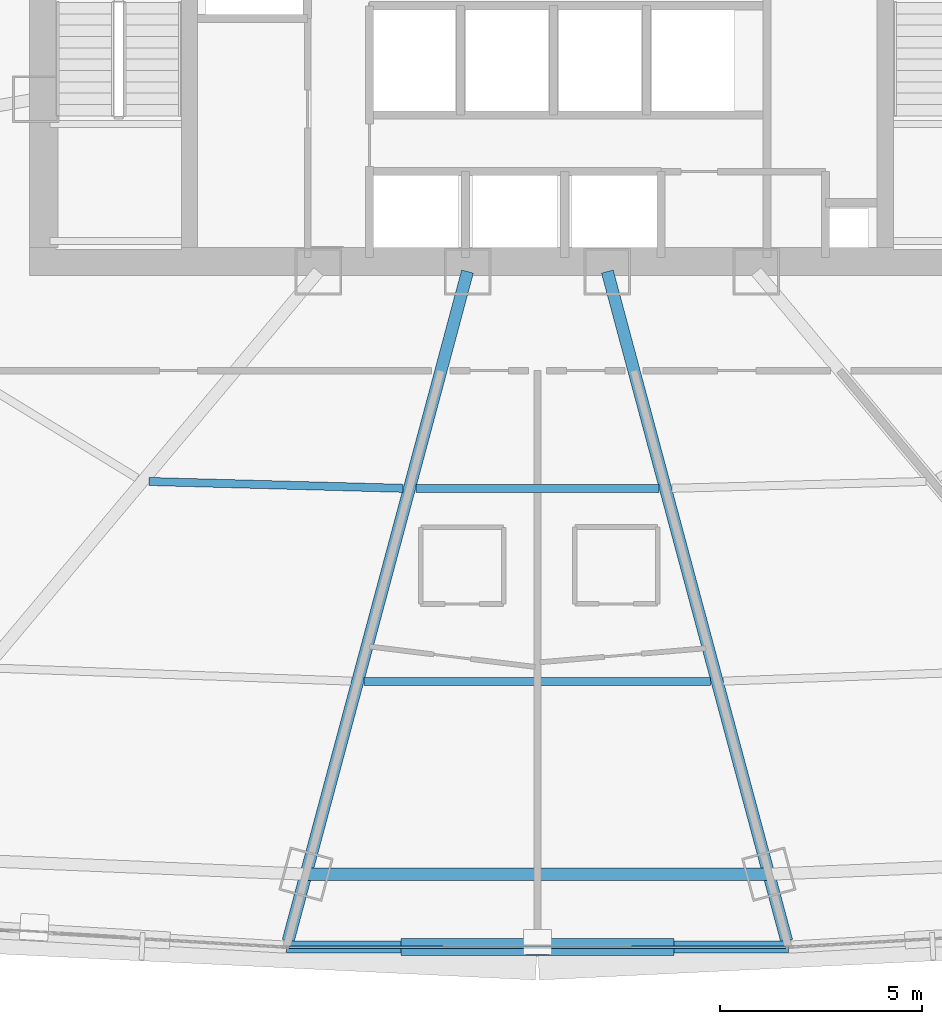
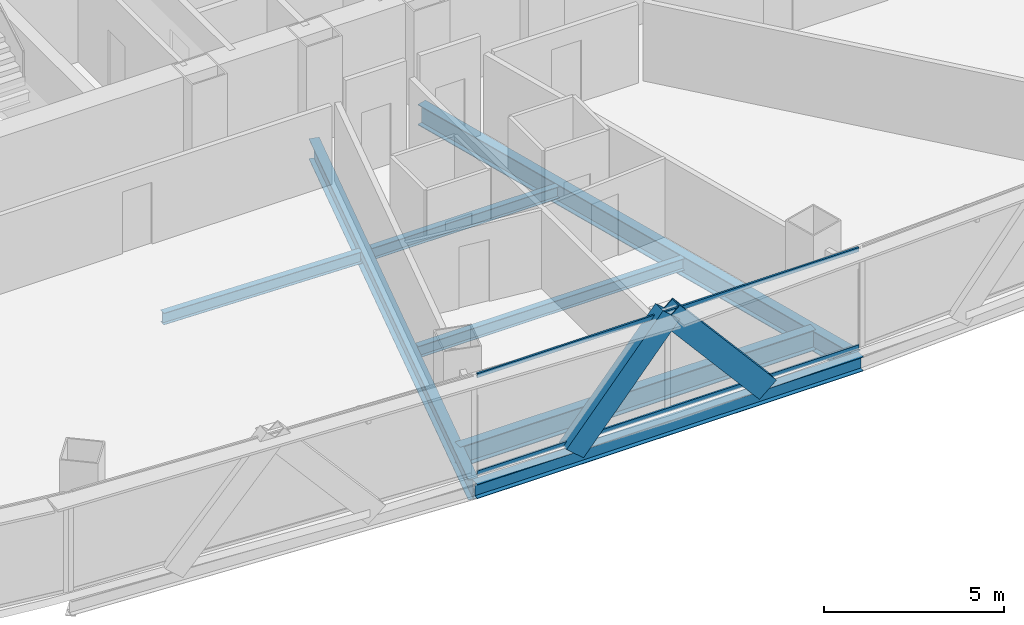
# One storey, part 9 of 38: 7 beams, 4 members, 1 element without a shape of its own.
"""IFC4 building model written with IfcOpenShell, lengths in metres."""

from ifc_helpers import new_model, si_unit, direction, frame, origin, origin_2d, place, context, subcontext, project, spatial, hollow_rectangle, i_section, extrude, source, transform, mapped, material, layer, layer_set, material_profile, profile_set, type_object, element, aggregate, save


model = new_model("IFC4")

# Units and contexts
model_context = context("Model", 3, precision=1e-05, world=origin(), true_north=direction((0.0, 1.0)))
body_context = subcontext(model_context, "Body", "Model", "MODEL_VIEW")
ifc_project = project(units=[si_unit("LENGTHUNIT", "METRE"), si_unit("AREAUNIT", "SQUARE_METRE"), si_unit("VOLUMEUNIT", "CUBIC_METRE"), si_unit("PLANEANGLEUNIT", "RADIAN"), si_unit("MASSUNIT", "GRAM", prefix="KILO"), si_unit("THERMODYNAMICTEMPERATUREUNIT", "KELVIN"), si_unit("POWERUNIT", "WATT")], contexts=[model_context])

# Site, building, storey
site_placement = place(None, origin())
site = spatial("IfcSite", under=ifc_project, at=site_placement, CompositionType="ELEMENT")
building_placement = place(site_placement, origin())
building = spatial("IfcBuilding", under=site, at=building_placement, Name="Yunzhuo Pagoda Commons", CompositionType="ELEMENT")
storey_placement = place(building_placement, frame((0.0, 0.0, 37.659912109375)))
storey = spatial("IfcBuildingStorey", under=building, at=storey_placement, Name="L09", CompositionType="ELEMENT", Elevation=37.659912109375)

# Beams
ifc_material_1 = material(Name="Structural steel Q355B", Category="steel")
ifc_material_profile_1 = material_profile(ifc_material_1, i_section(OverallWidth=0.300048828125, OverallDepth=0.699951171875, WebThickness=0.012939453125, FlangeThickness=0.02392578125, at=origin_2d()), Name="Structural steel Q355B")
ifc_profile_set_1 = profile_set([ifc_material_profile_1], Name="Structural steel Q355B")
beam_type_1 = type_object("IfcBeamType", Name="B-RG1 Beam HN 700x300x13x24", PredefinedType="BEAM", material=ifc_profile_set_1)
shared_shape_1 = source(origin(), body_context, "Body", "SweptSolid", [
    extrude(i_section(OverallWidth=0.300048828125, OverallDepth=0.699951171875, WebThickness=0.012939453125, FlangeThickness=0.02392578125, at=origin_2d()), origin(), (0.0, 0.0, 1.0), 11.4404296875),
])
beam_1_placement = place(storey_placement, frame((42.27978515625, 12.35205078125, -0.60986328125), z_axis=(1.0, 0.0, 0.0), x_axis=(0.0, 1.0, 0.0)))
element("IfcBeam", 1, at=beam_1_placement, inside=storey, type_object=beam_type_1, Name="L09 column-ring beam 2", PredefinedType="BEAM", context=body_context, shape_type="MappedRepresentation", body=[
    mapped(shared_shape_1, transform((0.0, 0.0, 0.0), scale=1.0)),
])
shared_shape_2 = source(origin(), body_context, "Body", "SweptSolid", [
    extrude(i_section(OverallWidth=0.300048828125, OverallDepth=0.699951171875, WebThickness=0.012939453125, FlangeThickness=0.02392578125, at=origin_2d()), origin(), (0.0, 0.0, 1.0), 17.135986328125),
])
beam_2_placement = place(storey_placement, frame((41.836669921875, 10.697998046875, -0.60986328125), z_axis=(0.258830325444, 0.96592280366, 0.0), x_axis=(-0.96592280366, 0.258830325444, 0.0)))
element("IfcBeam", 2, at=beam_2_placement, inside=storey, type_object=beam_type_1, Name="L09 radial floor girder F1C2", PredefinedType="BEAM", context=body_context, shape_type="MappedRepresentation", body=[
    mapped(shared_shape_2, transform((0.0, 0.0, 0.0), scale=1.0)),
])
shared_shape_3 = source(origin(), body_context, "Body", "SweptSolid", [
    extrude(i_section(OverallWidth=0.300048828125, OverallDepth=0.699951171875, WebThickness=0.012939453125, FlangeThickness=0.02392578125, at=origin_2d()), origin(), (0.0, 0.0, 1.0), 17.1357421875),
])
beam_3_placement = place(storey_placement, frame((54.163330078125, 10.697998046875, -0.60986328125), z_axis=(-0.25880373953, 0.965929927275, 0.0), x_axis=(-0.965929927275, -0.25880373953, 0.0)))
element("IfcBeam", 3, at=beam_3_placement, inside=storey, type_object=beam_type_1, Name="L09 radial floor girder F1C3", PredefinedType="BEAM", context=body_context, shape_type="MappedRepresentation", body=[
    mapped(shared_shape_3, transform((0.0, 0.0, 0.0), scale=1.0)),
])
ifc_material_profile_2 = material_profile(ifc_material_1, i_section(OverallWidth=0.300048828125, OverallDepth=0.488037109375, WebThickness=0.010986328125, FlangeThickness=0.01806640625, at=origin_2d()), Name="Structural steel Q355B")
ifc_profile_set_2 = profile_set([ifc_material_profile_2], Name="Structural steel Q355B")
beam_type_2 = type_object("IfcBeamType", Name="B-SP1 Beam HM 488x300x11x18", PredefinedType="BEAM", material=ifc_profile_set_2)
shared_shape_4 = source(origin(), body_context, "Body", "SweptSolid", [
    extrude(i_section(OverallWidth=0.300048828125, OverallDepth=0.488037109375, WebThickness=0.010986328125, FlangeThickness=0.01806640625, at=origin_2d()), origin(), (0.0, 0.0, 1.0), 12.4072265625),
])
beam_4_placement = place(storey_placement, frame((41.79638671875, 10.548095703125, -0.50390625), z_axis=(1.0, 0.0, 0.0), x_axis=(0.0, 1.0, 0.0)))
element("IfcBeam", 4, at=beam_4_placement, inside=storey, type_object=beam_type_2, Name="L09 facade edge spandrel beam F1.2", PredefinedType="BEAM", context=body_context, shape_type="MappedRepresentation", body=[
    mapped(shared_shape_4, transform((0.0, 0.0, 0.0), scale=1.0)),
])
ifc_material_profile_3 = material_profile(ifc_material_1, i_section(OverallWidth=0.199951171875, OverallDepth=0.39990234375, WebThickness=0.008056640625, FlangeThickness=0.012939453125, at=origin_2d()), Name="Structural steel Q355B")
ifc_profile_set_3 = profile_set([ifc_material_profile_3], Name="Structural steel Q355B")
beam_type_3 = type_object("IfcBeamType", Name="B-JS1 Joist HN 400x200x8x13", PredefinedType="JOIST", material=ifc_profile_set_3)
shared_shape_5 = source(origin(), body_context, "Body", "SweptSolid", [
    extrude(i_section(OverallWidth=0.199951171875, OverallDepth=0.39990234375, WebThickness=0.008056640625, FlangeThickness=0.012939453125, at=origin_2d()), origin(), (0.0, 0.0, 1.0), 6.28271484375),
])
beam_5_placement = place(storey_placement, frame((38.395263671875, 22.06005859375, -0.4599609375), z_axis=(0.999638393847, -0.026890175648, 0.0), x_axis=(0.026890175648, 0.999638393847, 0.0)))
element("IfcBeam", 5, at=beam_5_placement, inside=storey, type_object=beam_type_3, Name="L09 composite ring joist 1.1", PredefinedType="JOIST", context=body_context, shape_type="MappedRepresentation", body=[
    mapped(shared_shape_5, transform((0.0, 0.0, 0.0), scale=1.0)),
])
shared_shape_6 = source(origin(), body_context, "Body", "SweptSolid", [
    extrude(i_section(OverallWidth=0.199951171875, OverallDepth=0.39990234375, WebThickness=0.008056640625, FlangeThickness=0.012939453125, at=origin_2d()), origin(), (0.0, 0.0, 1.0), 6.0126953125),
])
beam_6_placement = place(storey_placement, frame((44.99365234375, 21.88671875, -0.4599609375), z_axis=(1.0, 0.0, 0.0), x_axis=(0.0, 1.0, 0.0)))
element("IfcBeam", 6, at=beam_6_placement, inside=storey, type_object=beam_type_3, Name="L09 composite ring joist 1.2", PredefinedType="JOIST", context=body_context, shape_type="MappedRepresentation", body=[
    mapped(shared_shape_6, transform((0.0, 0.0, 0.0), scale=1.0)),
])
shared_shape_7 = source(origin(), body_context, "Body", "SweptSolid", [
    extrude(i_section(OverallWidth=0.199951171875, OverallDepth=0.39990234375, WebThickness=0.008056640625, FlangeThickness=0.012939453125, at=origin_2d()), origin(), (0.0, 0.0, 1.0), 8.5673828125),
])
beam_7_placement = place(storey_placement, frame((43.71630859375, 17.119384765625, -0.4599609375), z_axis=(1.0, 0.0, 0.0), x_axis=(0.0, 1.0, 0.0)))
element("IfcBeam", 7, at=beam_7_placement, inside=storey, type_object=beam_type_3, Name="L09 composite ring joist 2.2", PredefinedType="JOIST", context=body_context, shape_type="MappedRepresentation", body=[
    mapped(shared_shape_7, transform((0.0, 0.0, 0.0), scale=1.0)),
])

# Members
ifc_material_2 = material(Name="Structural steel Q420B", Category="steel")
ifc_material_profile_4 = material_profile(ifc_material_2, hollow_rectangle(XDim=0.419921875, YDim=0.719970703125, WallThickness=0.028076171875, at=origin_2d()), Name="Structural steel Q420B")
ifc_profile_set_4 = profile_set([ifc_material_profile_4], Name="Structural steel Q420B")
member_type_1 = type_object("IfcMemberType", Name="M-DL1 Brace BOX 720x420x28", PredefinedType="BRACE", material=ifc_profile_set_4)
shared_shape_8 = source(origin(), body_context, "Body", "SweptSolid", [
    extrude(hollow_rectangle(XDim=0.419921875, YDim=0.719970703125, WallThickness=0.028076171875, at=origin_2d()), origin(), (0.0, 0.0, 1.0), 4.77490234375),
])
for number, where, z_axis, x_axis, name in (
    (8, (44.898193359375, 10.548095703125, -0.260009765625), (0.649615790934, 0.0, 0.760262667878), (0.0, 1.0, 0.0), "L09 facade diamond brace F1.2L"),
    (9, (51.101806640625, 10.548095703125, -0.260009765625), (-0.649615790934, 0.0, 0.760262667878), (0.0, -1.0, 0.0), "L09 facade diamond brace F1.2R"),
):
    element("IfcMember", number, at=place(storey_placement, frame(where, z_axis=z_axis, x_axis=x_axis)), inside=storey, type_object=member_type_1, Name=name, PredefinedType="BRACE", context=body_context, shape_type="MappedRepresentation", body=[
        mapped(shared_shape_8, transform((0.0, 0.0, 0.0), scale=1.0)),
    ])

# Curtain wall, members
ifc_material_3 = material(Name="Anodized aluminium 6063-T6", Category="aluminium")
ifc_layer = layer(ifc_material_3, 0.1650390625)
ifc_layer_set = layer_set([ifc_layer], Name="Anodized aluminium 6063-T6")
curtain_wall_type = type_object("IfcCurtainWallType", Name="CW-LOW Low-Zone Ribbon Curtain Wall", PredefinedType="NOTDEFINED", material=ifc_layer_set)
curtain_wall_placement = place(storey_placement, origin())
curtain_wall = element("IfcCurtainWall", 10, at=curtain_wall_placement, inside=storey, type_object=curtain_wall_type, Name="L09 curtain wall CW-L09-F1B3", PredefinedType="NOTDEFINED")
ifc_material_profile_5 = material_profile(ifc_material_3, hollow_rectangle(XDim=0.06005859375, YDim=0.139892578125, WallThickness=0.00341796875, at=origin_2d()), Name="Anodized aluminium 6063-T6")
ifc_profile_set_5 = profile_set([ifc_material_profile_5], Name="Anodized aluminium 6063-T6")
member_type_2 = type_object("IfcMemberType", Name="CW-LOW-T Transom RHS 140x60x3.5", PredefinedType="USERDEFINED", material=ifc_profile_set_5)
shared_shape_9 = source(origin(), body_context, "Body", "SweptSolid", [
    extrude(hollow_rectangle(XDim=0.06005859375, YDim=0.139892578125, WallThickness=0.00341796875, at=origin_2d()), origin(), (0.0, 0.0, 1.0), 12.27685546875),
])
member_1_placement = place(storey_placement, frame((41.861572265625, 10.548095703125, 0.030029296875), z_axis=(1.0, 0.0, 0.0), x_axis=(0.0, 1.0, 0.0)))
member_1 = element("IfcMember", 11, at=member_1_placement, type_object=member_type_2, Name="CW transom 1.1", ObjectType="TRANSOM", PredefinedType="USERDEFINED", context=body_context, shape_type="MappedRepresentation", body=[
    mapped(shared_shape_9, transform((0.0, 0.0, 0.0), scale=1.0)),
])
member_2_placement = place(storey_placement, frame((41.861572265625, 10.548095703125, 3.340087890625), z_axis=(1.0, 0.0, 0.0), x_axis=(0.0, 1.0, 0.0)))
member_2 = element("IfcMember", 12, at=member_2_placement, type_object=member_type_2, Name="CW transom 1.2", ObjectType="TRANSOM", PredefinedType="USERDEFINED", context=body_context, shape_type="MappedRepresentation", body=[
    mapped(shared_shape_9, transform((0.0, 0.0, 0.0), scale=1.0)),
])
aggregate(curtain_wall, [member_1, member_2])

save(model, "model.ifc")
